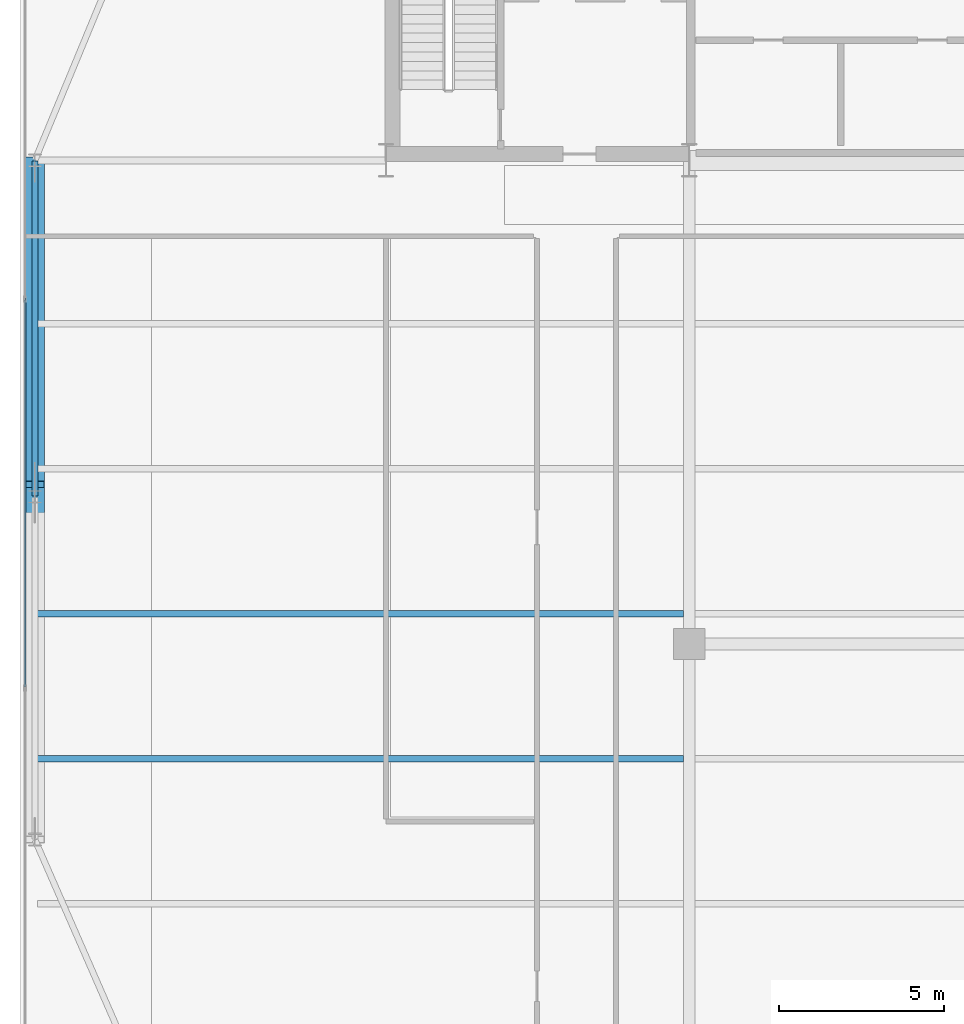
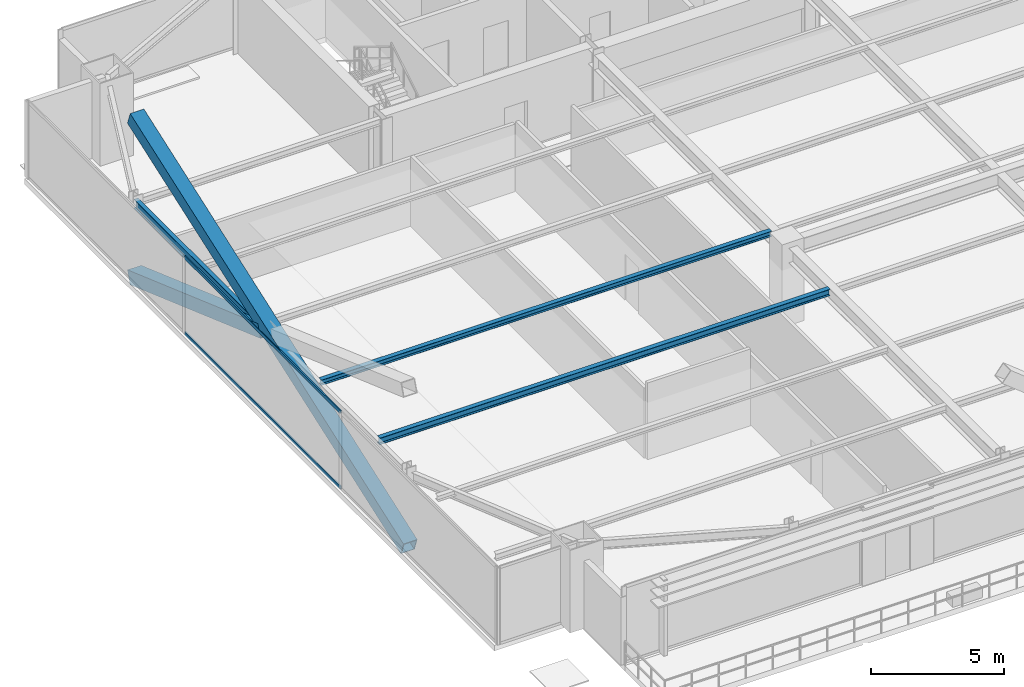
# One storey, part 9 of 35: 4 members, 3 beams, 1 element without a shape of its own.
"""IFC4 building model written with IfcOpenShell, lengths in metres."""

from ifc_helpers import new_model, si_unit, direction, frame, origin, origin_2d, place, context, subcontext, project, spatial, hollow_rectangle, i_section, extrude, source, transform, mapped, material, layer, layer_set, material_profile, profile_set, type_object, type_shapes, element, aggregate, save


model = new_model("IFC4")

# Units and contexts
model_context = context("Model", 3, precision=1e-05, world=origin(), true_north=direction((0.0, 1.0)))
body_context = subcontext(model_context, "Body", "Model", "MODEL_VIEW")
ifc_project = project(units=[si_unit("LENGTHUNIT", "METRE"), si_unit("AREAUNIT", "SQUARE_METRE"), si_unit("VOLUMEUNIT", "CUBIC_METRE"), si_unit("PLANEANGLEUNIT", "RADIAN"), si_unit("MASSUNIT", "GRAM", prefix="KILO")], contexts=[model_context])

# Site, building, storey
site_placement = place(None, origin())
site = spatial("IfcSite", under=ifc_project, at=site_placement, CompositionType="ELEMENT")
building_placement = place(site_placement, origin())
building = spatial("IfcBuilding", under=site, at=building_placement, Name="Varnel Quay Broadcast Tower", CompositionType="ELEMENT")
storey_placement = place(building_placement, frame((0.0, 0.0, 87.0)))
storey = spatial("IfcBuildingStorey", under=building, at=storey_placement, Name="L20", CompositionType="ELEMENT", Elevation=87.0)

# Beams
ifc_material_1 = material(Name="Structural Steel CSA G40.21 350W", Category="steel")
ifc_material_profile_1 = material_profile(ifc_material_1, i_section(OverallWidth=0.180908203125, OverallDepth=0.4169921875, WebThickness=0.010986328125, FlangeThickness=0.018310546875, FilletRadius=0.011962890625, at=origin_2d()), Name="W410X85")
ifc_profile_set_1 = profile_set([ifc_material_profile_1], Name="Structural Steel CSA G40.21 350W")
beam_type_1 = type_object("IfcBeamType", Name="Beam_W410X85", PredefinedType="SPANDREL", material=ifc_profile_set_1)
shared_shape_1 = source(origin(), body_context, "Body", "SweptSolid", [
    extrude(i_section(OverallWidth=0.180908203125, OverallDepth=0.4169921875, WebThickness=0.010986328125, FlangeThickness=0.018310546875, FilletRadius=0.011962890625, at=origin_2d()), origin(), (0.0, 0.0, 1.0), 10.16015625),
])
type_shapes(beam_type_1, [shared_shape_1])
beam_1_placement = place(storey_placement, frame((4.949951171875, 25.419921875, 3.341552734375), z_axis=(0.0, 1.0, 0.0), x_axis=(-1.0, 0.0, 0.0)))
element("IfcBeam", 1, at=beam_1_placement, inside=storey, type_object=beam_type_1, Name="L20 West Spandrel TC-W2-TC-W3", PredefinedType="SPANDREL", context=body_context, shape_type="MappedRepresentation", body=[
    mapped(shared_shape_1, transform((0.0, 0.0, 0.0), x_axis=(1.0, 0.0, 0.0), y_axis=(0.0, 1.0, 0.0), z_axis=(0.0, 0.0, 1.0), scale=1.0)),
])
ifc_material_profile_2 = material_profile(ifc_material_1, i_section(OverallWidth=0.202880859375, OverallDepth=0.302978515625, WebThickness=0.007568359375, FlangeThickness=0.01318359375, FilletRadius=0.011962890625, at=origin_2d()), Name="W310X60")
ifc_profile_set_2 = profile_set([ifc_material_profile_2], Name="Structural Steel CSA G40.21 350W")
beam_type_2 = type_object("IfcBeamType", Name="Beam_W310X60", PredefinedType="JOIST", material=ifc_profile_set_2)
shared_shape_2 = source(origin(), body_context, "Body", "SweptSolid", [
    extrude(i_section(OverallWidth=0.202880859375, OverallDepth=0.302978515625, WebThickness=0.007568359375, FlangeThickness=0.01318359375, FilletRadius=0.011962890625, at=origin_2d()), origin(), (0.0, 0.0, 1.0), 19.592041015625),
])
type_shapes(beam_type_2, [shared_shape_2])
beam_2_placement = place(storey_placement, frame((5.035400390625, 17.449951171875, 3.3984375), z_axis=(1.0, 0.0, 0.0), x_axis=(0.0, 1.0, 0.0)))
element("IfcBeam", 2, at=beam_2_placement, inside=storey, type_object=beam_type_2, Name="L20 West Floor Joist 3", PredefinedType="JOIST", context=body_context, shape_type="MappedRepresentation", body=[
    mapped(shared_shape_2, transform((0.0, 0.0, 0.0), x_axis=(1.0, 0.0, 0.0), y_axis=(0.0, 1.0, 0.0), z_axis=(0.0, 0.0, 1.0), scale=1.0)),
])
ifc_material_profile_3 = material_profile(ifc_material_1, i_section(OverallWidth=0.201904296875, OverallDepth=0.2470703125, WebThickness=0.00732421875, FlangeThickness=0.010986328125, FilletRadius=0.010986328125, at=origin_2d()), Name="W250X49")
ifc_profile_set_3 = profile_set([ifc_material_profile_3], Name="Structural Steel CSA G40.21 350W")
beam_type_3 = type_object("IfcBeamType", Name="Beam_W250X49", PredefinedType="JOIST", material=ifc_profile_set_3)
shared_shape_3 = source(origin(), body_context, "Body", "SweptSolid", [
    extrude(i_section(OverallWidth=0.201904296875, OverallDepth=0.2470703125, WebThickness=0.00732421875, FlangeThickness=0.010986328125, FilletRadius=0.010986328125, at=origin_2d()), origin(), (0.0, 0.0, 1.0), 19.592041015625),
])
type_shapes(beam_type_3, [shared_shape_3])
beam_3_placement = place(storey_placement, frame((5.035400390625, 21.85009765625, 3.426513671875), z_axis=(1.0, 0.0, 0.0), x_axis=(0.0, 1.0, 0.0)))
element("IfcBeam", 3, at=beam_3_placement, inside=storey, type_object=beam_type_3, Name="L20 West Floor Joist 4", PredefinedType="JOIST", context=body_context, shape_type="MappedRepresentation", body=[
    mapped(shared_shape_3, transform((0.0, 0.0, 0.0), x_axis=(1.0, 0.0, 0.0), y_axis=(0.0, 1.0, 0.0), z_axis=(0.0, 0.0, 1.0), scale=1.0)),
])

# Members
ifc_material_2 = material(Name="Structural Steel CSA G40.21 350WT", Category="steel")
ifc_material_profile_4 = material_profile(ifc_material_2, hollow_rectangle(XDim=0.60009765625, YDim=0.60009765625, WallThickness=0.028076171875, at=origin_2d()), Name="BOX600X600X28")
ifc_profile_set_4 = profile_set([ifc_material_profile_4], Name="Structural Steel CSA G40.21 350WT")
member_type_1 = type_object("IfcMemberType", Name="Brace_BOX600X600X28", PredefinedType="BRACE", material=ifc_profile_set_4)
shared_shape_4 = source(origin(), body_context, "Body", "SweptSolid", [
    extrude(hollow_rectangle(XDim=0.60009765625, YDim=0.60009765625, WallThickness=0.028076171875, at=origin_2d()), origin(), (0.0, 0.0, 1.0), 21.858642578125),
])
member_1_placement = place(storey_placement, frame((4.949951171875, 15.0, 0.02001953125), z_axis=(0.0, 0.942422749236, 0.334423925165), x_axis=(-1.0, 0.0, 0.0)))
element("IfcMember", 4, at=member_1_placement, inside=storey, type_object=member_type_1, Name="Zone 2 Mega-Brace W-FT1 Continuous Diag A", PredefinedType="BRACE", context=body_context, shape_type="MappedRepresentation", body=[
    mapped(shared_shape_4, transform((0.0, 0.0, 0.0), x_axis=(1.0, 0.0, 0.0), y_axis=(0.0, 1.0, 0.0), z_axis=(0.0, 0.0, 1.0), scale=1.0)),
])
shared_shape_5 = source(origin(), body_context, "Body", "SweptSolid", [
    extrude(hollow_rectangle(XDim=0.60009765625, YDim=0.60009765625, WallThickness=0.028076171875, at=origin_2d()), origin(), (0.0, 0.0, 1.0), 10.42822265625),
])
type_shapes(member_type_1, [shared_shape_4, shared_shape_5])
member_2_placement = place(storey_placement, frame((4.949951171875, 35.60009765625, 0.02001953125), z_axis=(0.0, -0.942420605046, 0.334429967534), x_axis=(1.0, 0.0, 0.0)))
element("IfcMember", 5, at=member_2_placement, inside=storey, type_object=member_type_1, Name="Zone 2 Mega-Brace W-FT1 Split Diag B1", PredefinedType="BRACE", context=body_context, shape_type="MappedRepresentation", body=[
    mapped(shared_shape_5, transform((0.0, 0.0, 0.0), x_axis=(1.0, 0.0, 0.0), y_axis=(0.0, 1.0, 0.0), z_axis=(0.0, 0.0, 1.0), scale=1.0)),
])

# Curtain wall, members
ifc_material_3 = material(Name="Anodised Bronze Aluminium 6063-T6", Category="aluminium")
ifc_layer = layer(ifc_material_3, 0.18994140625, Name="Anodised Bronze Aluminium 6063-T6")
ifc_layer_set = layer_set([ifc_layer], Name="Anodised Bronze Aluminium 6063-T6")
curtain_wall_type = type_object("IfcCurtainWallType", Name="CW_LowerTower", PredefinedType="NOTDEFINED", material=ifc_layer_set)
curtain_wall_placement = place(storey_placement, origin())
curtain_wall = element("IfcCurtainWall", 6, at=curtain_wall_placement, inside=storey, type_object=curtain_wall_type, Name="L20 West Unitised Curtain Wall", PredefinedType="NOTDEFINED")
ifc_material_profile_5 = material_profile(ifc_material_3, hollow_rectangle(XDim=0.06005859375, YDim=0.14501953125, WallThickness=0.00341796875, at=origin_2d()), Name="ALU60X145X3.5")
ifc_profile_set_5 = profile_set([ifc_material_profile_5], Name="Anodised Bronze Aluminium 6063-T6")
member_type_2 = type_object("IfcMemberType", Name="Tran_CWS-02", PredefinedType="USERDEFINED", material=ifc_profile_set_5)
shared_shape_6 = source(origin(), body_context, "Body", "SweptSolid", [
    extrude(hollow_rectangle(XDim=0.06005859375, YDim=0.14501953125, WallThickness=0.00341796875, at=origin_2d()), origin(), (0.0, 0.0, 1.0), 11.72998046875),
])
type_shapes(member_type_2, [shared_shape_6])
member_3_placement = place(storey_placement, frame((4.64990234375, 19.635009765625, 0.030029296875), z_axis=(0.0, 1.0, 0.0), x_axis=(-1.0, 0.0, 0.0)))
member_3 = element("IfcMember", 7, at=member_3_placement, type_object=member_type_2, Name="CWS-02 transom 2.1", ObjectType="TRANSOM", PredefinedType="USERDEFINED", context=body_context, shape_type="MappedRepresentation", body=[
    mapped(shared_shape_6, transform((0.0, 0.0, 0.0), x_axis=(1.0, 0.0, 0.0), y_axis=(0.0, 1.0, 0.0), z_axis=(0.0, 0.0, 1.0), scale=1.0)),
])
member_4_placement = place(storey_placement, frame((4.64990234375, 19.635009765625, 3.52001953125), z_axis=(0.0, 1.0, 0.0), x_axis=(-1.0, 0.0, 0.0)))
member_4 = element("IfcMember", 8, at=member_4_placement, type_object=member_type_2, Name="CWS-02 transom 2.2", ObjectType="TRANSOM", PredefinedType="USERDEFINED", context=body_context, shape_type="MappedRepresentation", body=[
    mapped(shared_shape_6, transform((0.0, 0.0, 0.0), x_axis=(1.0, 0.0, 0.0), y_axis=(0.0, 1.0, 0.0), z_axis=(0.0, 0.0, 1.0), scale=1.0)),
])
aggregate(curtain_wall, [member_3, member_4])

save(model, "model.ifc")
